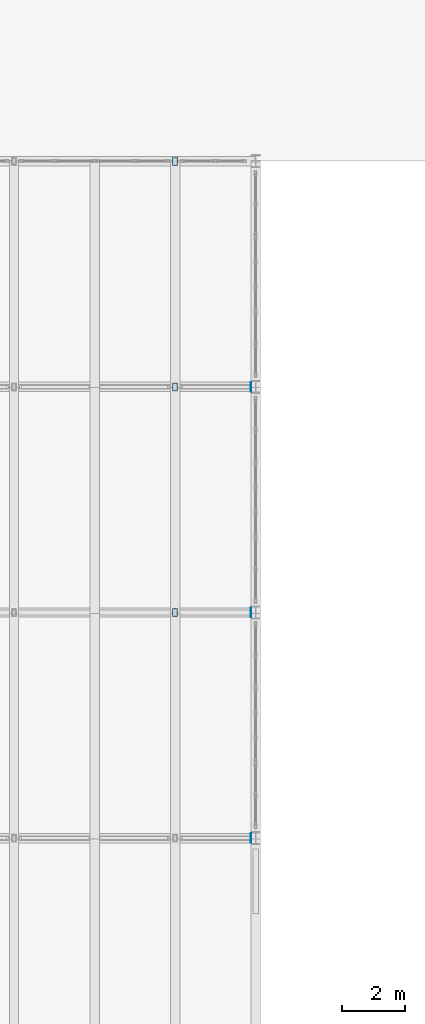
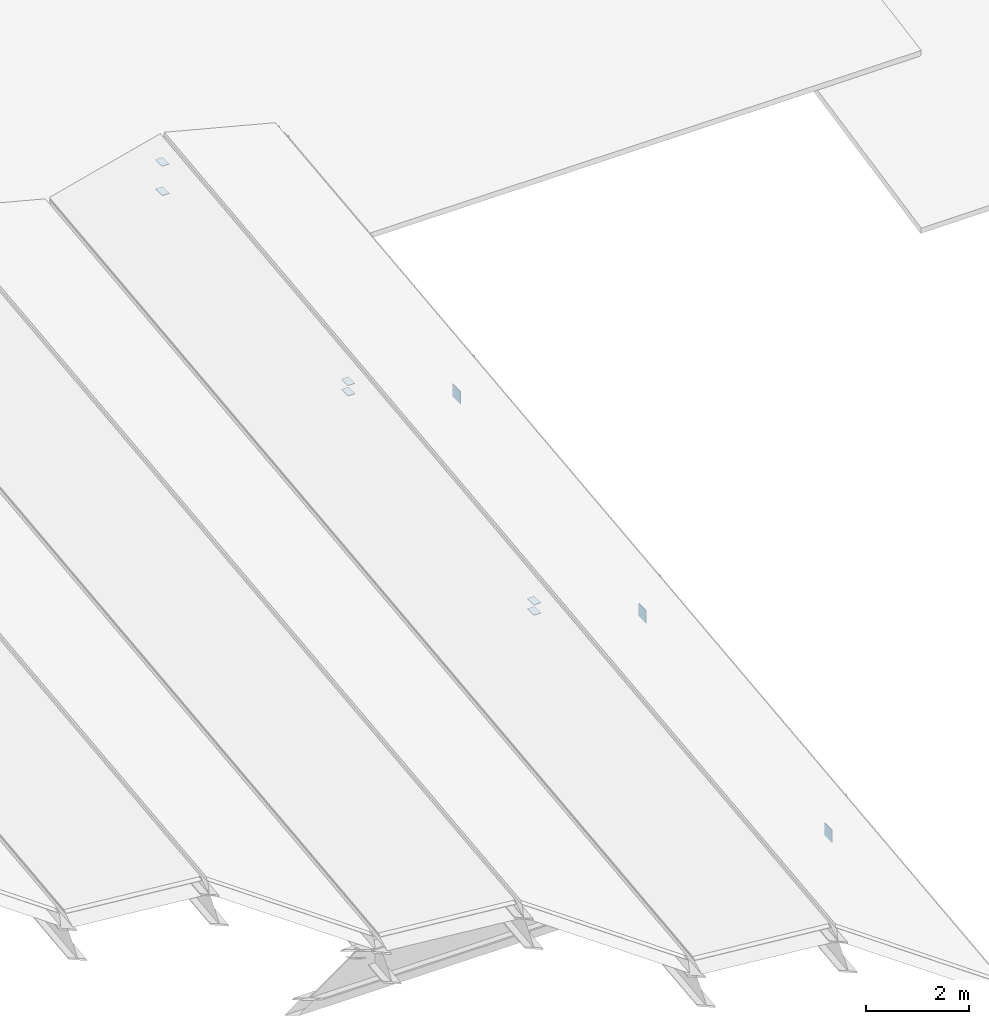
# One storey, part 36 of 39: 9 plates.
"""IFC4 building model written with IfcOpenShell, lengths in metres."""

from ifc_helpers import new_model, si_unit, direction, frame, origin, origin_2d, place, context, subcontext, project, spatial, rectangle, extrude, material, layer, layer_set, type_object, element, save


model = new_model("IFC4")

# Units and contexts
model_context = context("Model", 3, precision=1e-05, world=origin(), true_north=direction((0.0, 1.0)))
body_context = subcontext(model_context, "Body", "Model", "MODEL_VIEW")
ifc_project = project(units=[si_unit("LENGTHUNIT", "METRE"), si_unit("AREAUNIT", "SQUARE_METRE"), si_unit("VOLUMEUNIT", "CUBIC_METRE"), si_unit("PLANEANGLEUNIT", "RADIAN"), si_unit("MASSUNIT", "GRAM", prefix="KILO"), si_unit("THERMODYNAMICTEMPERATUREUNIT", "KELVIN"), si_unit("POWERUNIT", "WATT")], contexts=[model_context])

# Site, building, storey
site_placement = place(None, origin())
site = spatial("IfcSite", under=ifc_project, at=site_placement, CompositionType="ELEMENT")
building_placement = place(site_placement, origin())
building = spatial("IfcBuilding", under=site, at=building_placement, Name="Kaldorven Railside Theatre", CompositionType="ELEMENT")
storey_placement = place(building_placement, frame((0.0, 0.0, 27.300048828125)))
storey = spatial("IfcBuildingStorey", under=building, at=storey_placement, Name="ROOF", CompositionType="ELEMENT", Elevation=27.300048828125)

# Plates
ifc_material = material(Name="Steel S355", Category="steel")
ifc_layer = layer(ifc_material, 0.011962890625, Name="Steel S355")
ifc_layer_set = layer_set([ifc_layer], Name="Steel S355")
plate_type = type_object("IfcPlateType", Name="PLT-CAP-12", PredefinedType="USERDEFINED", material=ifc_layer_set)
for number, where, z_axis, x_axis, name in (
    (1, (120.62841796875, 112.800048828125, 2.6044921875), (0.0, 0.0, 1.0), (1.0, 0.0, 0.0), "End cap gusset plate PL-0267"),
    (2, (120.62841796875, 112.800048828125, 3.30029296875), (0.0, 0.0, 1.0), (1.0, 0.0, 0.0), "End cap gusset plate PL-0268"),
):
    element("IfcPlate", number, at=place(storey_placement, frame(where, z_axis=z_axis, x_axis=x_axis)), inside=storey, type_object=plate_type, Name=name, ObjectType="CAP PLATE", PredefinedType="USERDEFINED", context=body_context, shape_type="SweptSolid", body=[
        extrude(rectangle(XDim=0.159912109375, YDim=0.260009765625, at=origin_2d()), origin(), (0.0, 0.0, 1.0), 0.011962890625),
    ])
for number, where, z_axis, x_axis, name in (
    (3, (123.0478515625, 91.199951171875, -0.300537109375), (1.0, 0.0, 0.0), (0.0, 1.0, 0.0), "End cap gusset plate PL-0270"),
    (4, (123.0478515625, 98.39990234375, 0.51953125), (1.0, 0.0, 0.0), (0.0, 1.0, 0.0), "End cap gusset plate PL-0272"),
    (5, (123.0478515625, 105.60009765625, 1.33935546875), (1.0, 0.0, 0.0), (0.0, 1.0, 0.0), "End cap gusset plate PL-0274"),
):
    element("IfcPlate", number, at=place(storey_placement, frame(where, z_axis=z_axis, x_axis=x_axis)), inside=storey, type_object=plate_type, Name=name, ObjectType="CAP PLATE", PredefinedType="USERDEFINED", context=body_context, shape_type="SweptSolid", body=[
        extrude(rectangle(XDim=0.300048828125, YDim=0.300048828125, at=origin_2d()), origin(), (0.0, 0.0, 1.0), 0.011962890625),
    ])
for number, where, z_axis, x_axis, name in (
    (6, (120.62841796875, 98.39990234375, 1.41455078125), (0.0, 0.0, 1.0), (1.0, 0.0, 0.0), "End cap gusset plate PL-0313"),
    (7, (120.62841796875, 98.39990234375, 1.658203125), (0.0, 0.0, 1.0), (1.0, 0.0, 0.0), "End cap gusset plate PL-0314"),
    (8, (120.62841796875, 105.60009765625, 2.234375), (0.0, 0.0, 1.0), (1.0, 0.0, 0.0), "End cap gusset plate PL-0315"),
    (9, (120.62841796875, 105.60009765625, 2.47802734375), (0.0, 0.0, 1.0), (1.0, 0.0, 0.0), "End cap gusset plate PL-0316"),
):
    element("IfcPlate", number, at=place(storey_placement, frame(where, z_axis=z_axis, x_axis=x_axis)), inside=storey, type_object=plate_type, Name=name, ObjectType="CAP PLATE", PredefinedType="USERDEFINED", context=body_context, shape_type="SweptSolid", body=[
        extrude(rectangle(XDim=0.159912109375, YDim=0.260009765625, at=origin_2d()), origin(), (0.0, 0.0, 1.0), 0.011962890625),
    ])

save(model, "model.ifc")
